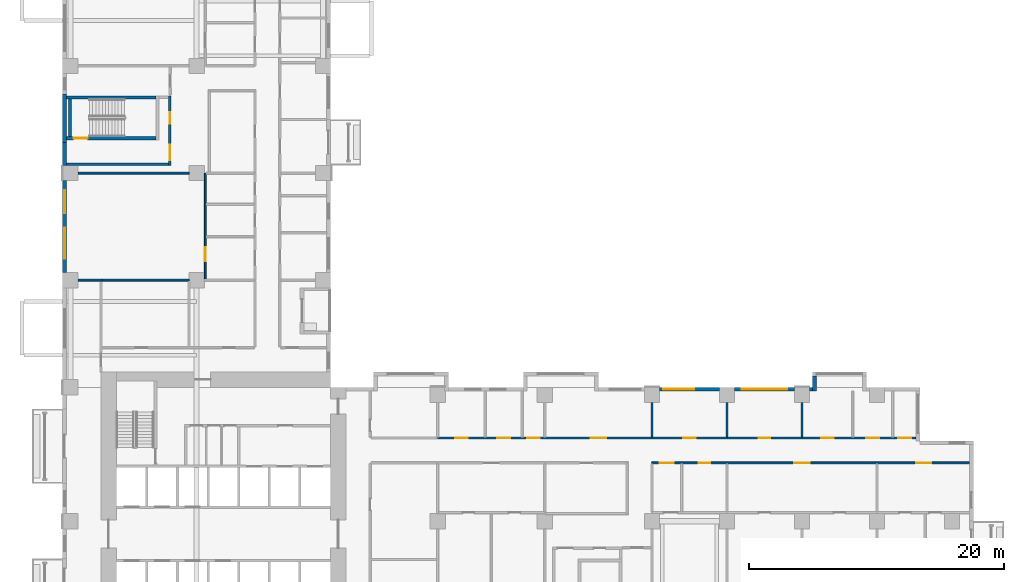
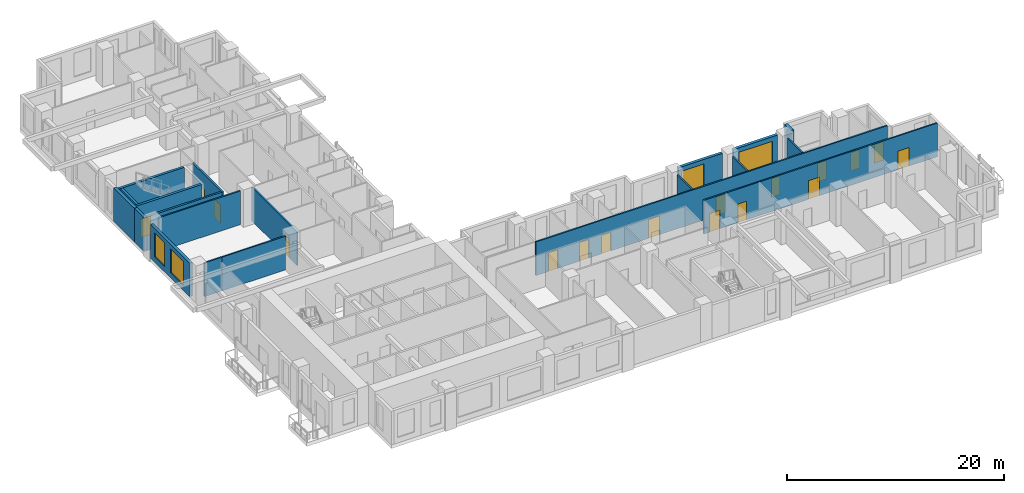
# One storey, part 5 of 14: 21 walls, 17 doors, 4 windows, 21 openings.
"""IFC4 building model written with IfcOpenShell, lengths in metres."""

from ifc_helpers import new_model, si_unit, direction, frame, frame_2d, origin, place, context, subcontext, project, spatial, rectangle, extrude, source, transform, mapped, material, layer, layer_set, type_object, element, fill, save


model = new_model("IFC4")

# Units and contexts
model_context = context("Model", 3, precision=1e-05, world=origin(), true_north=direction((0.0, 1.0)))
body_context = subcontext(model_context, "Body", "Model", "MODEL_VIEW")
ifc_project = project(units=[si_unit("LENGTHUNIT", "METRE"), si_unit("AREAUNIT", "SQUARE_METRE"), si_unit("VOLUMEUNIT", "CUBIC_METRE"), si_unit("PLANEANGLEUNIT", "RADIAN"), si_unit("MASSUNIT", "GRAM", prefix="KILO")], contexts=[model_context])

# Site, building, storey
site_placement = place(None, origin())
site = spatial("IfcSite", under=ifc_project, at=site_placement, CompositionType="ELEMENT")
building_placement = place(site_placement, origin())
building = spatial("IfcBuilding", under=site, at=building_placement, Name="Aurelian Terraces", CompositionType="ELEMENT")
storey_placement = place(building_placement, frame((0.0, 0.0, 40.5)))
storey = spatial("IfcBuildingStorey", under=building, at=storey_placement, Name="L07", CompositionType="ELEMENT", Elevation=40.5)

# Wall, openings, doors
ifc_material_1 = material(Name="Gypsum board on steel studs", Category="steel")
ifc_layer_1 = layer(ifc_material_1, 0.15)
ifc_layer_set_1 = layer_set([ifc_layer_1], Name="Fire partition 150")
wall_type_1 = type_object("IfcWallType", Name="Fire partition 150", PredefinedType="PARTITIONING", material=ifc_layer_set_1)
wall_1_placement = place(storey_placement, frame((29.4, 17.025, 0.0), z_axis=(0.0, 0.0, 1.0), x_axis=(1.0, 0.0, 0.0)))
wall_1 = element("IfcWall", 1, at=wall_1_placement, inside=storey, type_object=wall_type_1, Name="Corridor wall", PredefinedType="PARTITIONING", context=body_context, shape_type="SweptSolid", body=[
    extrude(rectangle(XDim=37.5, YDim=0.15, at=frame_2d((18.75, 0.0))), origin(), (0.0, 0.0, 1.0), 3.8),
])
shared_shape_1 = source(origin(), body_context, "Body", "SweptSolid", [
    extrude(rectangle(XDim=1.0, YDim=2.1, at=frame_2d((0.5, 1.05))), frame((0.0, 0.085, 0.0), z_axis=(0.0, -1.0, 0.0), x_axis=(1.0, 0.0, 0.0)), (0.0, 0.0, 1.0), 0.17),
])
opening_1_placement = place(wall_1_placement, frame((1.3567, 0.0, 0.0)))
opening_1 = element("IfcOpeningElement", 2, at=opening_1_placement, cuts=wall_1, Name="Opening 707019", PredefinedType="OPENING", context=body_context, shape_type="MappedRepresentation", body=[
    mapped(shared_shape_1, transform((0.0, 0.0, 0.0), scale=1.0)),
])
opening_2_placement = place(wall_1_placement, frame((4.6686, 0.0, 0.0)))
opening_2 = element("IfcOpeningElement", 3, at=opening_2_placement, cuts=wall_1, Name="Opening 707020", PredefinedType="OPENING", context=body_context, shape_type="MappedRepresentation", body=[
    mapped(shared_shape_1, transform((0.0, 0.0, 0.0), scale=1.0)),
])
opening_3_placement = place(wall_1_placement, frame((7.012, 0.0, 0.0)))
opening_3 = element("IfcOpeningElement", 4, at=opening_3_placement, cuts=wall_1, Name="Opening 707021", PredefinedType="OPENING", context=body_context, shape_type="MappedRepresentation", body=[
    mapped(shared_shape_1, transform((0.0, 0.0, 0.0), scale=1.0)),
])
shared_shape_2 = source(origin(), body_context, "Body", "SweptSolid", [
    extrude(rectangle(XDim=1.2, YDim=2.1, at=frame_2d((0.6, 1.05))), frame((0.0, 0.085, 0.0), z_axis=(0.0, -1.0, 0.0), x_axis=(1.0, 0.0, 0.0)), (0.0, 0.0, 1.0), 0.17),
])
opening_4_placement = place(wall_1_placement, frame((12.0, 0.0, 0.0)))
opening_4 = element("IfcOpeningElement", 5, at=opening_4_placement, cuts=wall_1, Name="Opening 707022", PredefinedType="OPENING", context=body_context, shape_type="MappedRepresentation", body=[
    mapped(shared_shape_2, transform((0.0, 0.0, 0.0), scale=1.0)),
])
opening_5_placement = place(wall_1_placement, frame((19.24, 0.0, 0.0)))
opening_5 = element("IfcOpeningElement", 6, at=opening_5_placement, cuts=wall_1, Name="Opening 707023", PredefinedType="OPENING", context=body_context, shape_type="MappedRepresentation", body=[
    mapped(shared_shape_1, transform((0.0, 0.0, 0.0), scale=1.0)),
])
shared_shape_3 = source(origin(), body_context, "Body", "SweptSolid", [
    extrude(rectangle(XDim=0.9, YDim=2.1, at=frame_2d((0.45, 1.05))), frame((0.0, 0.085, 0.0), z_axis=(0.0, -1.0, 0.0), x_axis=(1.0, 0.0, 0.0)), (0.0, 0.0, 1.0), 0.17),
])
opening_6_placement = place(wall_1_placement, frame((25.17, 0.0, 0.0)))
opening_6 = element("IfcOpeningElement", 7, at=opening_6_placement, cuts=wall_1, Name="Opening 707024", PredefinedType="OPENING", context=body_context, shape_type="MappedRepresentation", body=[
    mapped(shared_shape_3, transform((0.0, 0.0, 0.0), scale=1.0)),
])
opening_7_placement = place(wall_1_placement, frame((30.0523, 0.0, 0.0)))
opening_7 = element("IfcOpeningElement", 8, at=opening_7_placement, cuts=wall_1, Name="Opening 707025", PredefinedType="OPENING", context=body_context, shape_type="MappedRepresentation", body=[
    mapped(shared_shape_1, transform((0.0, 0.0, 0.0), scale=1.0)),
])
opening_8_placement = place(wall_1_placement, frame((33.6084, 0.0, 0.0)))
opening_8 = element("IfcOpeningElement", 9, at=opening_8_placement, cuts=wall_1, Name="Opening 707026", PredefinedType="OPENING", context=body_context, shape_type="MappedRepresentation", body=[
    mapped(shared_shape_1, transform((0.0, 0.0, 0.0), scale=1.0)),
])
opening_9_placement = place(wall_1_placement, frame((36.1236, 0.0, 0.0)))
opening_9 = element("IfcOpeningElement", 10, at=opening_9_placement, cuts=wall_1, Name="Opening 707027", PredefinedType="OPENING", context=body_context, shape_type="MappedRepresentation", body=[
    mapped(shared_shape_1, transform((0.0, 0.0, 0.0), scale=1.0)),
])
ifc_material_2 = material(Name="Timber door leaf", Category="wood")
door_type_1 = type_object("IfcDoorType", Name="Room door 1000x2100 left", OperationType="SINGLE_SWING_LEFT", PredefinedType="DOOR", material=ifc_material_2)
shared_shape_4 = source(origin(), body_context, "Body", "SweptSolid", [
    extrude(rectangle(XDim=1.0, YDim=2.1, at=frame_2d((0.5, 1.05))), frame((0.0, 0.025, 0.0), z_axis=(0.0, -1.0, 0.0), x_axis=(1.0, 0.0, 0.0)), (0.0, 0.0, 1.0), 0.05),
])
door_1_placement = place(opening_1_placement, origin())
door_1 = element("IfcDoor", 11, at=door_1_placement, inside=storey, type_object=door_type_1, Name="Door 707019", OperationType="SINGLE_SWING_LEFT", OverallHeight=2.1, OverallWidth=1.0, PredefinedType="DOOR", context=body_context, shape_type="MappedRepresentation", body=[
    mapped(shared_shape_4, transform((0.0, 0.0, 0.0), scale=1.0)),
])
fill(opening_1, door_1)
door_type_2 = type_object("IfcDoorType", Name="Room door 1000x2100 right", OperationType="SINGLE_SWING_RIGHT", PredefinedType="DOOR", material=ifc_material_2)
door_2_placement = place(opening_2_placement, origin())
door_2 = element("IfcDoor", 12, at=door_2_placement, inside=storey, type_object=door_type_2, Name="Door 707020", OperationType="SINGLE_SWING_RIGHT", OverallHeight=2.1, OverallWidth=1.0, PredefinedType="DOOR", context=body_context, shape_type="MappedRepresentation", body=[
    mapped(shared_shape_4, transform((0.0, 0.0, 0.0), scale=1.0)),
])
fill(opening_2, door_2)
door_3_placement = place(opening_3_placement, origin())
door_3 = element("IfcDoor", 13, at=door_3_placement, inside=storey, type_object=door_type_1, Name="Door 707021", OperationType="SINGLE_SWING_LEFT", OverallHeight=2.1, OverallWidth=1.0, PredefinedType="DOOR", context=body_context, shape_type="MappedRepresentation", body=[
    mapped(shared_shape_4, transform((0.0, 0.0, 0.0), scale=1.0)),
])
fill(opening_3, door_3)
door_4_placement = place(opening_5_placement, origin())
door_4 = element("IfcDoor", 14, at=door_4_placement, inside=storey, type_object=door_type_1, Name="Door 707023", OperationType="SINGLE_SWING_LEFT", OverallHeight=2.1, OverallWidth=1.0, PredefinedType="DOOR", context=body_context, shape_type="MappedRepresentation", body=[
    mapped(shared_shape_4, transform((0.0, 0.0, 0.0), scale=1.0)),
])
fill(opening_5, door_4)
door_5_placement = place(opening_7_placement, origin())
door_5 = element("IfcDoor", 15, at=door_5_placement, inside=storey, type_object=door_type_1, Name="Door 707025", OperationType="SINGLE_SWING_LEFT", OverallHeight=2.1, OverallWidth=1.0, PredefinedType="DOOR", context=body_context, shape_type="MappedRepresentation", body=[
    mapped(shared_shape_4, transform((0.0, 0.0, 0.0), scale=1.0)),
])
fill(opening_7, door_5)
door_6_placement = place(opening_8_placement, origin())
door_6 = element("IfcDoor", 16, at=door_6_placement, inside=storey, type_object=door_type_2, Name="Door 707026", OperationType="SINGLE_SWING_RIGHT", OverallHeight=2.1, OverallWidth=1.0, PredefinedType="DOOR", context=body_context, shape_type="MappedRepresentation", body=[
    mapped(shared_shape_4, transform((0.0, 0.0, 0.0), scale=1.0)),
])
fill(opening_8, door_6)
door_7_placement = place(opening_9_placement, origin())
door_7 = element("IfcDoor", 17, at=door_7_placement, inside=storey, type_object=door_type_1, Name="Door 707027", OperationType="SINGLE_SWING_LEFT", OverallHeight=2.1, OverallWidth=1.0, PredefinedType="DOOR", context=body_context, shape_type="MappedRepresentation", body=[
    mapped(shared_shape_4, transform((0.0, 0.0, 0.0), scale=1.0)),
])
fill(opening_9, door_7)
door_type_3 = type_object("IfcDoorType", Name="Room door 900x2100 left", OperationType="SINGLE_SWING_LEFT", PredefinedType="DOOR", material=ifc_material_2)
shared_shape_5 = source(origin(), body_context, "Body", "SweptSolid", [
    extrude(rectangle(XDim=0.9, YDim=2.1, at=frame_2d((0.45, 1.05))), frame((0.0, 0.025, 0.0), z_axis=(0.0, -1.0, 0.0), x_axis=(1.0, 0.0, 0.0)), (0.0, 0.0, 1.0), 0.05),
])
door_8_placement = place(opening_6_placement, origin())
door_8 = element("IfcDoor", 18, at=door_8_placement, inside=storey, type_object=door_type_3, Name="Door 707024", OperationType="SINGLE_SWING_LEFT", OverallHeight=2.1, OverallWidth=0.9, PredefinedType="DOOR", context=body_context, shape_type="MappedRepresentation", body=[
    mapped(shared_shape_5, transform((0.0, 0.0, 0.0), scale=1.0)),
])
fill(opening_6, door_8)
door_type_4 = type_object("IfcDoorType", Name="Room door 1200x2100 left", OperationType="SINGLE_SWING_LEFT", PredefinedType="DOOR", material=ifc_material_2)
shared_shape_6 = source(origin(), body_context, "Body", "SweptSolid", [
    extrude(rectangle(XDim=1.2, YDim=2.1, at=frame_2d((0.6, 1.05))), frame((0.0, 0.025, 0.0), z_axis=(0.0, -1.0, 0.0), x_axis=(1.0, 0.0, 0.0)), (0.0, 0.0, 1.0), 0.05),
])
door_9_placement = place(opening_4_placement, origin())
door_9 = element("IfcDoor", 19, at=door_9_placement, inside=storey, type_object=door_type_4, Name="Door 707022", OperationType="SINGLE_SWING_LEFT", OverallHeight=2.1, OverallWidth=1.2, PredefinedType="DOOR", context=body_context, shape_type="MappedRepresentation", body=[
    mapped(shared_shape_6, transform((0.0, 0.0, 0.0), scale=1.0)),
])
fill(opening_4, door_9)

# Wall, openings, windows
ifc_material_3 = material(Name="Terracotta rainscreen cladding", Category="masonry")
ifc_layer_2 = layer(ifc_material_3, 0.3)
ifc_layer_set_2 = layer_set([ifc_layer_2], Name="EW-300")
wall_type_2 = type_object("IfcWallType", Name="EW-300", PredefinedType="STANDARD", material=ifc_layer_set_2)
shared_shape_7 = source(origin(), body_context, "Body", "SweptSolid", [
    extrude(rectangle(XDim=7.2, YDim=0.3, at=frame_2d((3.6, 0.0))), origin(), (0.0, 0.0, 1.0), 3.8),
])
wall_2_placement = place(storey_placement, frame((0.15, 37.2, 0.0), z_axis=(0.0, 0.0, 1.0), x_axis=(0.0, -1.0, 0.0)))
wall_2 = element("IfcWall", 20, at=wall_2_placement, inside=storey, type_object=wall_type_2, Name="External wall L07 F14.44", PredefinedType="STANDARD", context=body_context, shape_type="MappedRepresentation", body=[
    mapped(shared_shape_7, transform((0.0, 0.0, 0.0), scale=1.0)),
])
shared_shape_8 = source(origin(), body_context, "Body", "SweptSolid", [
    extrude(rectangle(XDim=1.8, YDim=2.7, at=frame_2d((0.9, 1.35))), frame((0.0, 0.16, 0.0), z_axis=(0.0, -1.0, 0.0), x_axis=(1.0, 0.0, 0.0)), (0.0, 0.0, 1.0), 0.32),
])
opening_10_placement = place(wall_2_placement, frame((0.7375, 0.0, 0.6)))
opening_10 = element("IfcOpeningElement", 21, at=opening_10_placement, cuts=wall_2, Name="Opening W1827", PredefinedType="OPENING", context=body_context, shape_type="MappedRepresentation", body=[
    mapped(shared_shape_8, transform((0.0, 0.0, 0.0), scale=1.0)),
])
shared_shape_9 = source(origin(), body_context, "Body", "SweptSolid", [
    extrude(rectangle(XDim=2.4, YDim=2.7, at=frame_2d((1.2, 1.35))), frame((0.0, 0.16, 0.0), z_axis=(0.0, -1.0, 0.0), x_axis=(1.0, 0.0, 0.0)), (0.0, 0.0, 1.0), 0.32),
])
opening_11_placement = place(wall_2_placement, frame((3.7, 0.0, 0.6)))
opening_11 = element("IfcOpeningElement", 22, at=opening_11_placement, cuts=wall_2, Name="Opening W2427", PredefinedType="OPENING", context=body_context, shape_type="MappedRepresentation", body=[
    mapped(shared_shape_9, transform((0.0, 0.0, 0.0), scale=1.0)),
])
ifc_material_4 = material(Name="Clear glazing", Category="glass")
window_type_1 = type_object("IfcWindowType", Name="W-2400x2700", PartitioningType="SINGLE_PANEL", PredefinedType="WINDOW", material=ifc_material_4)
shared_shape_10 = source(origin(), body_context, "Body", "SweptSolid", [
    extrude(rectangle(XDim=2.4, YDim=2.7, at=frame_2d((1.2, 1.35))), frame((0.0, 0.03, 0.0), z_axis=(0.0, -1.0, 0.0), x_axis=(1.0, 0.0, 0.0)), (0.0, 0.0, 1.0), 0.06),
])
window_1_placement = place(opening_11_placement, origin())
window_1 = element("IfcWindow", 23, at=window_1_placement, inside=storey, type_object=window_type_1, Name="Window L07 L07-F14-44-P6.2", OverallHeight=2.7, OverallWidth=2.4, PartitioningType="SINGLE_PANEL", PredefinedType="WINDOW", context=body_context, shape_type="MappedRepresentation", body=[
    mapped(shared_shape_10, transform((0.0, 0.0, 0.0), scale=1.0)),
])
fill(opening_11, window_1)
window_type_2 = type_object("IfcWindowType", Name="W-1800x2700", PartitioningType="SINGLE_PANEL", PredefinedType="WINDOW", material=ifc_material_4)
shared_shape_11 = source(origin(), body_context, "Body", "SweptSolid", [
    extrude(rectangle(XDim=1.8, YDim=2.7, at=frame_2d((0.9, 1.35))), frame((0.0, 0.03, 0.0), z_axis=(0.0, -1.0, 0.0), x_axis=(1.0, 0.0, 0.0)), (0.0, 0.0, 1.0), 0.06),
])
window_2_placement = place(opening_10_placement, origin())
window_2 = element("IfcWindow", 24, at=window_2_placement, inside=storey, type_object=window_type_2, Name="Window L07 L07-F14-44-P6.1", OverallHeight=2.7, OverallWidth=1.8, PartitioningType="SINGLE_PANEL", PredefinedType="WINDOW", context=body_context, shape_type="MappedRepresentation", body=[
    mapped(shared_shape_11, transform((0.0, 0.0, 0.0), scale=1.0)),
])
fill(opening_10, window_2)

# Wall, opening, window
shared_shape_12 = source(origin(), body_context, "Body", "SweptSolid", [
    extrude(rectangle(XDim=4.68, YDim=0.3, at=frame_2d((2.34, 0.0))), origin(), (0.0, 0.0, 1.0), 3.8),
])
wall_3_placement = place(storey_placement, frame((57.36, 20.85, 0.0), z_axis=(0.0, 0.0, 1.0), x_axis=(-1.0, 0.0, 0.0)))
wall_3 = element("IfcWall", 25, at=wall_3_placement, inside=storey, type_object=wall_type_2, Name="External wall L07 F07.22", PredefinedType="STANDARD", context=body_context, shape_type="MappedRepresentation", body=[
    mapped(shared_shape_12, transform((0.0, 0.0, 0.0), scale=1.0)),
])
shared_shape_13 = source(origin(), body_context, "Body", "SweptSolid", [
    extrude(rectangle(XDim=3.6, YDim=2.7, at=frame_2d((1.8, 1.35))), frame((0.0, 0.16, 0.0), z_axis=(0.0, -1.0, 0.0), x_axis=(1.0, 0.0, 0.0)), (0.0, 0.0, 1.0), 0.32),
])
opening_12_placement = place(wall_3_placement, frame((0.54, 0.0, 0.6)))
opening_12 = element("IfcOpeningElement", 26, at=opening_12_placement, cuts=wall_3, Name="Opening W3627", PredefinedType="OPENING", context=body_context, shape_type="MappedRepresentation", body=[
    mapped(shared_shape_13, transform((0.0, 0.0, 0.0), scale=1.0)),
])
window_type_3 = type_object("IfcWindowType", Name="W-3600x2700", PartitioningType="SINGLE_PANEL", PredefinedType="WINDOW", material=ifc_material_4)
shared_shape_14 = source(origin(), body_context, "Body", "SweptSolid", [
    extrude(rectangle(XDim=3.6, YDim=2.7, at=frame_2d((1.8, 1.35))), frame((0.0, 0.03, 0.0), z_axis=(0.0, -1.0, 0.0), x_axis=(1.0, 0.0, 0.0)), (0.0, 0.0, 1.0), 0.06),
])
window_3_placement = place(opening_12_placement, origin())
window_3 = element("IfcWindow", 27, at=window_3_placement, inside=storey, type_object=window_type_3, Name="Window L07 L07-F07-22-P1", OverallHeight=2.7, OverallWidth=3.6, PartitioningType="SINGLE_PANEL", PredefinedType="WINDOW", context=body_context, shape_type="MappedRepresentation", body=[
    mapped(shared_shape_14, transform((0.0, 0.0, 0.0), scale=1.0)),
])
fill(opening_12, window_3)

wall_4_placement = place(storey_placement, frame((51.48, 20.85, 0.0), z_axis=(0.0, 0.0, 1.0), x_axis=(-1.0, 0.0, 0.0)))
wall_4 = element("IfcWall", 28, at=wall_4_placement, inside=storey, type_object=wall_type_2, Name="External wall L07 F07.22", PredefinedType="STANDARD", context=body_context, shape_type="MappedRepresentation", body=[
    mapped(shared_shape_12, transform((0.0, 0.0, 0.0), scale=1.0)),
])
opening_13_placement = place(wall_4_placement, frame((1.98, 0.0, 0.6)))
opening_13 = element("IfcOpeningElement", 29, at=opening_13_placement, cuts=wall_4, Name="Opening W2427", PredefinedType="OPENING", context=body_context, shape_type="MappedRepresentation", body=[
    mapped(shared_shape_9, transform((0.0, 0.0, 0.0), scale=1.0)),
])
window_4_placement = place(opening_13_placement, origin())
window_4 = element("IfcWindow", 30, at=window_4_placement, inside=storey, type_object=window_type_1, Name="Window L07 L07-F07-22-2", OverallHeight=2.7, OverallWidth=2.4, PartitioningType="SINGLE_PANEL", PredefinedType="WINDOW", context=body_context, shape_type="MappedRepresentation", body=[
    mapped(shared_shape_10, transform((0.0, 0.0, 0.0), scale=1.0)),
])
fill(opening_13, window_4)

# Walls
shared_shape_15 = source(origin(), body_context, "Body", "SweptSolid", [
    extrude(rectangle(XDim=1.2, YDim=0.3, at=frame_2d((0.6, 0.0))), origin(), (0.0, 0.0, 1.0), 3.8),
])
wall_5_placement = place(storey_placement, frame((58.95, 20.7, 0.0), z_axis=(0.0, 0.0, 1.0), x_axis=(0.0, 1.0, 0.0)))
element("IfcWall", 31, at=wall_5_placement, inside=storey, type_object=wall_type_2, Name="Bay return L07 F07.21.2", PredefinedType="STANDARD", context=body_context, shape_type="MappedRepresentation", body=[
    mapped(shared_shape_15, transform((0.0, 0.0, 0.0), scale=1.0)),
])
shared_shape_16 = source(origin(), body_context, "Body", "SweptSolid", [
    extrude(rectangle(XDim=0.24, YDim=0.3, at=frame_2d((0.12, 0.0))), origin(), (0.0, 0.0, 1.0), 3.8),
])
wall_6_placement = place(storey_placement, frame((58.8, 20.85, 0.0), z_axis=(0.0, 0.0, 1.0), x_axis=(-1.0, 0.0, 0.0)))
element("IfcWall", 32, at=wall_6_placement, inside=storey, type_object=wall_type_2, Name="External wall L07 F07.22", PredefinedType="STANDARD", context=body_context, shape_type="MappedRepresentation", body=[
    mapped(shared_shape_16, transform((0.0, 0.0, 0.0), scale=1.0)),
])
ifc_material_5 = material(Name="Concrete fc' 40 MPa", Category="concrete")
ifc_layer_3 = layer(ifc_material_5, 0.3)
ifc_layer_set_3 = layer_set([ifc_layer_3], Name="STAIR BAY WALL 300")
wall_type_3 = type_object("IfcWallType", Name="STAIR BAY WALL 300", PredefinedType="SOLIDWALL", material=ifc_layer_set_3)
shared_shape_17 = source(origin(), body_context, "Body", "SweptSolid", [
    extrude(rectangle(XDim=3.8, YDim=0.3, at=frame_2d((1.9, 0.0))), origin(), (0.0, 0.0, 1.0), 3.8),
])
wall_7_placement = place(storey_placement, frame((0.15, 44.0, 0.0), z_axis=(0.0, 0.0, 1.0), x_axis=(0.0, -1.0, 0.0)))
element("IfcWall", 33, at=wall_7_placement, inside=storey, type_object=wall_type_3, Name="Stair bay wall L07 F14.44", PredefinedType="SOLIDWALL", context=body_context, shape_type="MappedRepresentation", body=[
    mapped(shared_shape_17, transform((0.0, 0.0, 0.0), scale=1.0)),
])
shared_shape_18 = source(origin(), body_context, "Body", "SweptSolid", [
    extrude(rectangle(XDim=1.8, YDim=0.3, at=frame_2d((0.9, 0.0))), origin(), (0.0, 0.0, 1.0), 3.8),
])
wall_8_placement = place(storey_placement, frame((0.15, 40.2, 0.0), z_axis=(0.0, 0.0, 1.0), x_axis=(0.0, -1.0, 0.0)))
element("IfcWall", 34, at=wall_8_placement, inside=storey, type_object=wall_type_2, Name="External wall L07 F14.44", PredefinedType="STANDARD", context=body_context, shape_type="MappedRepresentation", body=[
    mapped(shared_shape_18, transform((0.0, 0.0, 0.0), scale=1.0)),
])

# Wall, opening, door
ifc_layer_4 = layer(ifc_material_5, 0.25)
ifc_layer_set_4 = layer_set([ifc_layer_4], Name="Stair enclosure wall 250")
wall_type_4 = type_object("IfcWallType", Name="Stair enclosure wall 250", PredefinedType="SOLIDWALL", material=ifc_layer_set_4)
shared_shape_19 = source(origin(), body_context, "Body", "SweptSolid", [
    extrude(rectangle(XDim=7.0, YDim=0.25, at=frame_2d((3.5, 0.0))), origin(), (0.0, 0.0, 1.0), 3.8),
])
wall_9_placement = place(storey_placement, frame((0.3, 40.525, 0.0), z_axis=(0.0, 0.0, 1.0), x_axis=(1.0, 0.0, 0.0)))
wall_9 = element("IfcWall", 35, at=wall_9_placement, inside=storey, type_object=wall_type_4, Name="L07 core wall ST-S3-W", PredefinedType="SOLIDWALL", context=body_context, shape_type="MappedRepresentation", body=[
    mapped(shared_shape_19, transform((0.0, 0.0, 0.0), scale=1.0)),
])
shared_shape_20 = source(origin(), body_context, "Body", "SweptSolid", [
    extrude(rectangle(XDim=1.1, YDim=2.1, at=frame_2d((0.55, 1.05))), frame((0.0, 0.135, 0.0), z_axis=(0.0, -1.0, 0.0), x_axis=(1.0, 0.0, 0.0)), (0.0, 0.0, 1.0), 0.27),
])
opening_14_placement = place(wall_9_placement, frame((0.55, 0.0, 0.0)))
opening_14 = element("IfcOpeningElement", 36, at=opening_14_placement, cuts=wall_9, Name="Opening 61018", PredefinedType="OPENING", context=body_context, shape_type="MappedRepresentation", body=[
    mapped(shared_shape_20, transform((0.0, 0.0, 0.0), scale=1.0)),
])
ifc_material_6 = material(Name="Steel door leaf", Category="steel")
door_type_5 = type_object("IfcDoorType", Name="Core fire door 1100x2100", OperationType="SINGLE_SWING_LEFT", PredefinedType="DOOR", material=ifc_material_6)
shared_shape_21 = source(origin(), body_context, "Body", "SweptSolid", [
    extrude(rectangle(XDim=1.1, YDim=2.1, at=frame_2d((0.55, 1.05))), frame((0.0, 0.025, 0.0), z_axis=(0.0, -1.0, 0.0), x_axis=(1.0, 0.0, 0.0)), (0.0, 0.0, 1.0), 0.05),
])
door_10_placement = place(opening_14_placement, origin())
door_10 = element("IfcDoor", 37, at=door_10_placement, inside=storey, type_object=door_type_5, Name="Stair door 61018", OperationType="SINGLE_SWING_LEFT", OverallHeight=2.1, OverallWidth=1.1, PredefinedType="DOOR", context=body_context, shape_type="MappedRepresentation", body=[
    mapped(shared_shape_21, transform((0.0, 0.0, 0.0), scale=1.0)),
])
fill(opening_14, door_10)

# Walls
wall_10_placement = place(storey_placement, frame((0.3, 43.725, 0.0), z_axis=(0.0, 0.0, 1.0), x_axis=(1.0, 0.0, 0.0)))
element("IfcWall", 38, at=wall_10_placement, inside=storey, type_object=wall_type_4, Name="L07 core wall ST-S3-E", PredefinedType="SOLIDWALL", context=body_context, shape_type="MappedRepresentation", body=[
    mapped(shared_shape_19, transform((0.0, 0.0, 0.0), scale=1.0)),
])
shared_shape_22 = source(origin(), body_context, "Body", "SweptSolid", [
    extrude(rectangle(XDim=2.95, YDim=0.25, at=frame_2d((1.475, 0.0))), origin(), (0.0, 0.0, 1.0), 3.8),
])
wall_11_placement = place(storey_placement, frame((0.575, 40.65, 0.0), z_axis=(0.0, 0.0, 1.0), x_axis=(0.0, 1.0, 0.0)))
element("IfcWall", 39, at=wall_11_placement, inside=storey, type_object=wall_type_4, Name="L07 core wall ST-S3-SS", PredefinedType="SOLIDWALL", context=body_context, shape_type="MappedRepresentation", body=[
    mapped(shared_shape_22, transform((0.0, 0.0, 0.0), scale=1.0)),
])
ifc_layer_5 = layer(ifc_material_1, 0.2)
ifc_layer_set_5 = layer_set([ifc_layer_5], Name="Core partition 200")
wall_type_5 = type_object("IfcWallType", Name="Core partition 200", PredefinedType="PARTITIONING", material=ifc_layer_set_5)
shared_shape_23 = source(origin(), body_context, "Body", "SweptSolid", [
    extrude(rectangle(XDim=8.0, YDim=0.2, at=frame_2d((4.0, 0.0))), origin(), (0.0, 0.0, 1.0), 3.8),
])
wall_12_placement = place(storey_placement, frame((0.3, 38.5, 0.0), z_axis=(0.0, 0.0, 1.0), x_axis=(1.0, 0.0, 0.0)))
element("IfcWall", 40, at=wall_12_placement, inside=storey, type_object=wall_type_5, Name="L07 core wall ST-S3-VW", PredefinedType="PARTITIONING", context=body_context, shape_type="MappedRepresentation", body=[
    mapped(shared_shape_23, transform((0.0, 0.0, 0.0), scale=1.0)),
])

# Wall, openings, doors
shared_shape_24 = source(origin(), body_context, "Body", "SweptSolid", [
    extrude(rectangle(XDim=5.45, YDim=0.2, at=frame_2d((2.725, 0.0))), origin(), (0.0, 0.0, 1.0), 3.8),
])
wall_13_placement = place(storey_placement, frame((8.4, 38.4, 0.0), z_axis=(0.0, 0.0, 1.0), x_axis=(0.0, 1.0, 0.0)))
wall_13 = element("IfcWall", 41, at=wall_13_placement, inside=storey, type_object=wall_type_5, Name="L07 core wall ST-S3-BN", PredefinedType="PARTITIONING", context=body_context, shape_type="MappedRepresentation", body=[
    mapped(shared_shape_24, transform((0.0, 0.0, 0.0), scale=1.0)),
])
shared_shape_25 = source(origin(), body_context, "Body", "SweptSolid", [
    extrude(rectangle(XDim=1.2, YDim=2.1, at=frame_2d((0.6, 1.05))), frame((0.0, 0.11, 0.0), z_axis=(0.0, -1.0, 0.0), x_axis=(1.0, 0.0, 0.0)), (0.0, 0.0, 1.0), 0.22),
])
opening_15_placement = place(wall_13_placement, frame((0.4, 0.0, 0.0)))
opening_15 = element("IfcOpeningElement", 42, at=opening_15_placement, cuts=wall_13, Name="Opening 61019", PredefinedType="OPENING", context=body_context, shape_type="MappedRepresentation", body=[
    mapped(shared_shape_25, transform((0.0, 0.0, 0.0), scale=1.0)),
])
shared_shape_26 = source(origin(), body_context, "Body", "SweptSolid", [
    extrude(rectangle(XDim=0.9, YDim=2.1, at=frame_2d((0.45, 1.05))), frame((0.0, 0.11, 0.0), z_axis=(0.0, -1.0, 0.0), x_axis=(1.0, 0.0, 0.0)), (0.0, 0.0, 1.0), 0.22),
])
opening_16_placement = place(wall_13_placement, frame((3.25, 0.0, 0.0)))
opening_16 = element("IfcOpeningElement", 43, at=opening_16_placement, cuts=wall_13, Name="Opening 61020", PredefinedType="OPENING", context=body_context, shape_type="MappedRepresentation", body=[
    mapped(shared_shape_26, transform((0.0, 0.0, 0.0), scale=1.0)),
])
door_type_6 = type_object("IfcDoorType", Name="Core riser door 900x2100", OperationType="SINGLE_SWING_LEFT", PredefinedType="DOOR", material=ifc_material_6)
door_11_placement = place(opening_16_placement, origin())
door_11 = element("IfcDoor", 44, at=door_11_placement, inside=storey, type_object=door_type_6, Name="Riser door 61020", OperationType="SINGLE_SWING_LEFT", OverallHeight=2.1, OverallWidth=0.9, PredefinedType="DOOR", context=body_context, shape_type="MappedRepresentation", body=[
    mapped(shared_shape_5, transform((0.0, 0.0, 0.0), scale=1.0)),
])
fill(opening_16, door_11)
door_type_7 = type_object("IfcDoorType", Name="Core fire door 1200x2100 right", OperationType="SINGLE_SWING_RIGHT", PredefinedType="DOOR", material=ifc_material_6)
door_12_placement = place(opening_15_placement, origin())
door_12 = element("IfcDoor", 45, at=door_12_placement, inside=storey, type_object=door_type_7, Name="Vestibule door 61019", OperationType="SINGLE_SWING_RIGHT", OverallHeight=2.1, OverallWidth=1.2, PredefinedType="DOOR", context=body_context, shape_type="MappedRepresentation", body=[
    mapped(shared_shape_6, transform((0.0, 0.0, 0.0), scale=1.0)),
])
fill(opening_15, door_12)

# Walls
ifc_layer_6 = layer(ifc_material_1, 0.15)
ifc_layer_set_6 = layer_set([ifc_layer_6], Name="Partition 150")
wall_type_6 = type_object("IfcWallType", Name="Partition 150", PredefinedType="PARTITIONING", material=ifc_layer_set_6)
shared_shape_27 = source(origin(), body_context, "Body", "SweptSolid", [
    extrude(rectangle(XDim=8.702, YDim=0.15, at=frame_2d((4.351, 0.0))), origin(), (0.0, 0.0, 1.0), 3.8),
])
wall_14_placement = place(storey_placement, frame((9.901, 37.8, 0.0), z_axis=(0.0, 0.0, 1.0), x_axis=(-1.0, 0.0, 0.0)))
element("IfcWall", 46, at=wall_14_placement, inside=storey, type_object=wall_type_6, Name="Partition", PredefinedType="PARTITIONING", context=body_context, shape_type="MappedRepresentation", body=[
    mapped(shared_shape_27, transform((0.0, 0.0, 0.0), scale=1.0)),
])
shared_shape_28 = source(origin(), body_context, "Body", "SweptSolid", [
    extrude(rectangle(XDim=2.701, YDim=0.15, at=frame_2d((1.3505, 0.0))), origin(), (0.0, 0.0, 1.0), 3.8),
])
for number, where, z_axis, x_axis, name in (
    (47, (46.2, 17.1, 0.0), (0.0, 0.0, 1.0), (0.0, 1.0, 0.0), "Partition"),
    (48, (52.08, 17.1, 0.0), (0.0, 0.0, 1.0), (0.0, 1.0, 0.0), "Partition"),
    (49, (57.96, 17.1, 0.0), (0.0, 0.0, 1.0), (0.0, 1.0, 0.0), "Partition"),
):
    element("IfcWall", number, at=place(storey_placement, frame(where, z_axis=z_axis, x_axis=x_axis)), inside=storey, type_object=wall_type_6, Name=name, PredefinedType="PARTITIONING", context=body_context, shape_type="MappedRepresentation", body=[
        mapped(shared_shape_28, transform((0.0, 0.0, 0.0), scale=1.0)),
    ])

# Wall, opening, door
shared_shape_29 = source(origin(), body_context, "Body", "SweptSolid", [
    extrude(rectangle(XDim=8.4, YDim=0.15, at=frame_2d((4.2, 0.0))), origin(), (0.0, 0.0, 1.0), 3.8),
])
wall_15_placement = place(storey_placement, frame((11.175, 29.4, 0.0), z_axis=(0.0, 0.0, 1.0), x_axis=(0.0, 1.0, 0.0)))
wall_15 = element("IfcWall", 50, at=wall_15_placement, inside=storey, type_object=wall_type_6, Name="Partition", PredefinedType="PARTITIONING", context=body_context, shape_type="MappedRepresentation", body=[
    mapped(shared_shape_29, transform((0.0, 0.0, 0.0), scale=1.0)),
])
shared_shape_30 = source(origin(), body_context, "Body", "SweptSolid", [
    extrude(rectangle(XDim=1.1, YDim=2.1, at=frame_2d((0.55, 1.05))), frame((0.0, 0.085, 0.0), z_axis=(0.0, -1.0, 0.0), x_axis=(1.0, 0.0, 0.0)), (0.0, 0.0, 1.0), 0.17),
])
opening_17_placement = place(wall_15_placement, frame((1.4669, 0.0, 0.0)))
opening_17 = element("IfcOpeningElement", 51, at=opening_17_placement, cuts=wall_15, Name="Opening 707035", PredefinedType="OPENING", context=body_context, shape_type="MappedRepresentation", body=[
    mapped(shared_shape_30, transform((0.0, 0.0, 0.0), scale=1.0)),
])
door_type_8 = type_object("IfcDoorType", Name="Room door 1100x2100 right", OperationType="SINGLE_SWING_RIGHT", PredefinedType="DOOR", material=ifc_material_2)
door_13_placement = place(opening_17_placement, origin())
door_13 = element("IfcDoor", 52, at=door_13_placement, inside=storey, type_object=door_type_8, Name="Door 707035", OperationType="SINGLE_SWING_RIGHT", OverallHeight=2.1, OverallWidth=1.1, PredefinedType="DOOR", context=body_context, shape_type="MappedRepresentation", body=[
    mapped(shared_shape_21, transform((0.0, 0.0, 0.0), scale=1.0)),
])
fill(opening_17, door_13)

# Wall, openings, doors
shared_shape_31 = source(origin(), body_context, "Body", "SweptSolid", [
    extrude(rectangle(XDim=24.9, YDim=0.15, at=frame_2d((12.45, 0.0))), origin(), (0.0, 0.0, 1.0), 3.8),
])
wall_16_placement = place(storey_placement, frame((71.1, 15.075, 0.0), z_axis=(0.0, 0.0, 1.0), x_axis=(-1.0, 0.0, 0.0)))
wall_16 = element("IfcWall", 53, at=wall_16_placement, inside=storey, type_object=wall_type_1, Name="Corridor wall", PredefinedType="PARTITIONING", context=body_context, shape_type="MappedRepresentation", body=[
    mapped(shared_shape_31, transform((0.0, 0.0, 0.0), scale=1.0)),
])
opening_18_placement = place(wall_16_placement, frame((23.1875, 0.0, 0.0)))
opening_18 = element("IfcOpeningElement", 54, at=opening_18_placement, cuts=wall_16, Name="Opening 707010", PredefinedType="OPENING", context=body_context, shape_type="SweptSolid", body=[
    extrude(rectangle(XDim=1.1, YDim=2.1, at=frame_2d((0.55, 1.05))), frame((0.0, 0.085, 0.0), z_axis=(0.0, -1.0, 0.0), x_axis=(1.0, 0.0, 0.0)), (0.0, 0.0, 1.0), 0.17),
])
opening_19_placement = place(wall_16_placement, frame((20.3475, 0.0, 0.0)))
opening_19 = element("IfcOpeningElement", 55, at=opening_19_placement, cuts=wall_16, Name="Opening 707012", PredefinedType="OPENING", context=body_context, shape_type="MappedRepresentation", body=[
    mapped(shared_shape_3, transform((0.0, 0.0, 0.0), scale=1.0)),
])
opening_20_placement = place(wall_16_placement, frame((12.54, 0.0, 0.0)))
opening_20 = element("IfcOpeningElement", 56, at=opening_20_placement, cuts=wall_16, Name="Opening 707013", PredefinedType="OPENING", context=body_context, shape_type="MappedRepresentation", body=[
    mapped(shared_shape_2, transform((0.0, 0.0, 0.0), scale=1.0)),
])
opening_21_placement = place(wall_16_placement, frame((2.9925, 0.0, 0.0)))
opening_21 = element("IfcOpeningElement", 57, at=opening_21_placement, cuts=wall_16, Name="Opening 707016", PredefinedType="OPENING", context=body_context, shape_type="MappedRepresentation", body=[
    mapped(shared_shape_2, transform((0.0, 0.0, 0.0), scale=1.0)),
])
door_14_placement = place(opening_19_placement, origin())
door_14 = element("IfcDoor", 58, at=door_14_placement, inside=storey, type_object=door_type_3, Name="Door 707012", OperationType="SINGLE_SWING_LEFT", OverallHeight=2.1, OverallWidth=0.9, PredefinedType="DOOR", context=body_context, shape_type="MappedRepresentation", body=[
    mapped(shared_shape_5, transform((0.0, 0.0, 0.0), scale=1.0)),
])
fill(opening_19, door_14)
door_type_9 = type_object("IfcDoorType", Name="Room door 1100x2100 left", OperationType="SINGLE_SWING_LEFT", PredefinedType="DOOR", material=ifc_material_2)
door_15_placement = place(opening_18_placement, origin())
door_15 = element("IfcDoor", 59, at=door_15_placement, inside=storey, type_object=door_type_9, Name="Door 707010", OperationType="SINGLE_SWING_LEFT", OverallHeight=2.1, OverallWidth=1.1, PredefinedType="DOOR", context=body_context, shape_type="MappedRepresentation", body=[
    mapped(shared_shape_21, transform((0.0, 0.0, 0.0), scale=1.0)),
])
fill(opening_18, door_15)
door_16_placement = place(opening_20_placement, origin())
door_16 = element("IfcDoor", 60, at=door_16_placement, inside=storey, type_object=door_type_4, Name="Door 707013", OperationType="SINGLE_SWING_LEFT", OverallHeight=2.1, OverallWidth=1.2, PredefinedType="DOOR", context=body_context, shape_type="MappedRepresentation", body=[
    mapped(shared_shape_6, transform((0.0, 0.0, 0.0), scale=1.0)),
])
fill(opening_20, door_16)
door_17_placement = place(opening_21_placement, origin())
door_17 = element("IfcDoor", 61, at=door_17_placement, inside=storey, type_object=door_type_4, Name="Door 707016", OperationType="SINGLE_SWING_LEFT", OverallHeight=2.1, OverallWidth=1.2, PredefinedType="DOOR", context=body_context, shape_type="MappedRepresentation", body=[
    mapped(shared_shape_6, transform((0.0, 0.0, 0.0), scale=1.0)),
])
fill(opening_21, door_17)

# Walls
shared_shape_32 = source(origin(), body_context, "Body", "SweptSolid", [
    extrude(rectangle(XDim=6.826, YDim=0.15, at=frame_2d((3.413, 0.0))), origin(), (0.0, 0.0, 1.0), 3.8),
])
wall_17_placement = place(storey_placement, frame((9.901, 29.4, 0.0), z_axis=(0.0, 0.0, 1.0), x_axis=(-1.0, 0.0, 0.0)))
element("IfcWall", 62, at=wall_17_placement, inside=storey, type_object=wall_type_6, Name="Partition", PredefinedType="PARTITIONING", context=body_context, shape_type="MappedRepresentation", body=[
    mapped(shared_shape_32, transform((0.0, 0.0, 0.0), scale=1.0)),
])
shared_shape_33 = source(origin(), body_context, "Body", "SweptSolid", [
    extrude(rectangle(XDim=1.856, YDim=0.15, at=frame_2d((0.928, 0.0))), origin(), (0.0, 0.0, 1.0), 3.8),
])
wall_18_placement = place(storey_placement, frame((3.055, 29.4, 0.0), z_axis=(0.0, 0.0, 1.0), x_axis=(-1.0, 0.0, 0.0)))
element("IfcWall", 63, at=wall_18_placement, inside=storey, type_object=wall_type_6, Name="Partition", PredefinedType="PARTITIONING", context=body_context, shape_type="MappedRepresentation", body=[
    mapped(shared_shape_33, transform((0.0, 0.0, 0.0), scale=1.0)),
])

save(model, "model.ifc")
